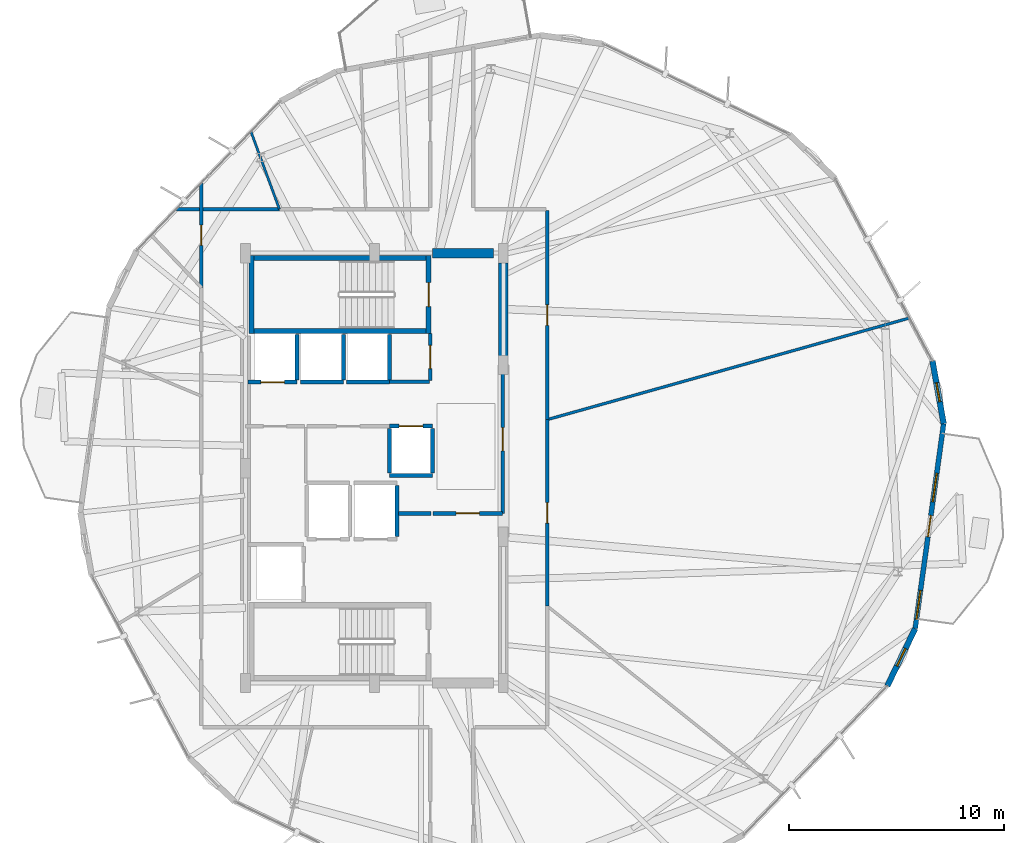
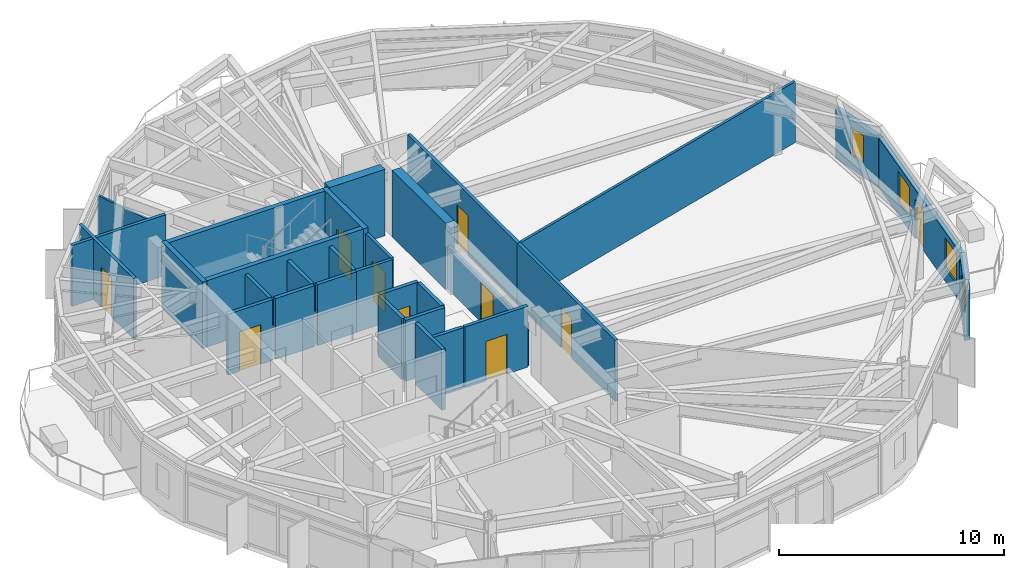
# One storey, part 24 of 28: 31 walls, 10 doors, 4 windows, 14 openings.
"""IFC4 building model written with IfcOpenShell, lengths in metres."""

from ifc_helpers import new_model, si_unit, direction, frame, frame_2d, origin, place, context, subcontext, project, spatial, rectangle, extrude, material, layer, layer_set, type_object, element, fill, save


model = new_model("IFC4")

# Units and contexts
model_context = context("Model", 3, precision=1e-05, world=origin(), true_north=direction((0.0, 1.0)))
body_context = subcontext(model_context, "Body", "Model", "MODEL_VIEW")
ifc_project = project(units=[si_unit("LENGTHUNIT", "METRE"), si_unit("AREAUNIT", "SQUARE_METRE"), si_unit("VOLUMEUNIT", "CUBIC_METRE"), si_unit("PLANEANGLEUNIT", "RADIAN"), si_unit("MASSUNIT", "GRAM", prefix="KILO")], contexts=[model_context])

# Site, building, storey
site_placement = place(None, origin())
site = spatial("IfcSite", under=ifc_project, at=site_placement, CompositionType="ELEMENT")
building_placement = place(site_placement, origin())
building = spatial("IfcBuilding", under=site, at=building_placement, Name="Soratama Intermodal Tower", CompositionType="ELEMENT")
storey_placement = place(building_placement, frame((0.0, 0.0, 205.0)))
storey = spatial("IfcBuildingStorey", under=building, at=storey_placement, Name="L51", CompositionType="ELEMENT", Elevation=205.0)

# Wall, openings, door, windows
ifc_material_1 = material(Name="Concrete f'c 42 MPa", Category="concrete")
ifc_layer_1 = layer(ifc_material_1, 0.22998046875)
ifc_layer_set_1 = layer_set([ifc_layer_1], Name="Concrete f'c 42 MPa")
wall_type_1 = type_object("IfcWallType", Name="EW-BAL-230", PredefinedType="SOLIDWALL", material=ifc_layer_set_1)
wall_1_placement = place(storey_placement, frame((63.759765625, 17.53173828125, 0.0), z_axis=(0.0, 0.0, 1.0), x_axis=(0.137794425401, 0.990460850477, 0.0)))
wall_1 = element("IfcWall", 1, at=wall_1_placement, inside=storey, type_object=wall_type_1, Name="L51 Terrace Wall F09", PredefinedType="SOLIDWALL", context=body_context, shape_type="SweptSolid", body=[
    extrude(rectangle(XDim=9.624267578125, YDim=0.22998046875, at=frame_2d((4.81201171875, 0.0))), origin(), (0.0, 0.0, 1.0), 2.678955078125),
])
opening_1_placement = place(wall_1_placement, frame((4.31201171875, 0.0, 0.0)))
opening_1 = element("IfcOpeningElement", 2, at=opening_1_placement, cuts=wall_1, Name="Opening ED-2", PredefinedType="OPENING", context=body_context, shape_type="SweptSolid", body=[
    extrude(rectangle(XDim=1.0, YDim=2.14990234375, at=frame_2d((0.5, 1.074951171875))), frame((0.0, 0.125, 0.0), z_axis=(0.0, -1.0, 0.0), x_axis=(1.0, 0.0, 0.0)), (0.0, 0.0, 1.0), 0.25),
])
opening_2_placement = place(wall_1_placement, frame((0.43994140625, 0.0, 0.719970703125)))
opening_2 = element("IfcOpeningElement", 3, at=opening_2_placement, cuts=wall_1, Name="Opening WN-4", PredefinedType="OPENING", context=body_context, shape_type="SweptSolid", body=[
    extrude(rectangle(XDim=1.35009765625, YDim=1.64990234375, at=frame_2d((0.675048828125, 0.824951171875))), frame((0.0, 0.125, 0.0), z_axis=(0.0, -1.0, 0.0), x_axis=(1.0, 0.0, 0.0)), (0.0, 0.0, 1.0), 0.25),
])
opening_3_placement = place(wall_1_placement, frame((5.951904296875, 0.0, 0.719970703125)))
opening_3 = element("IfcOpeningElement", 4, at=opening_3_placement, cuts=wall_1, Name="Opening WN-4", PredefinedType="OPENING", context=body_context, shape_type="SweptSolid", body=[
    extrude(rectangle(XDim=1.35009765625, YDim=1.64990234375, at=frame_2d((0.675048828125, 0.824951171875))), frame((0.0, 0.125, 0.0), z_axis=(0.0, -1.0, 0.0), x_axis=(1.0, 0.0, 0.0)), (0.0, 0.0, 1.0), 0.25),
])
ifc_material_2 = material(Name="Double-glazed aluminium door", Category="aluminium")
door_type_1 = type_object("IfcDoorType", Name="DR-BAL-1000", OperationType="NOTDEFINED", PredefinedType="DOOR", material=ifc_material_2)
door_1_placement = place(opening_1_placement, origin())
door_1 = element("IfcDoor", 5, at=door_1_placement, inside=storey, type_object=door_type_1, Name="L51 Balcony Door F09", OperationType="SINGLE_SWING_LEFT", OverallHeight=2.14990234375, OverallWidth=1.0, PredefinedType="DOOR", context=body_context, shape_type="SweptSolid", body=[
    extrude(rectangle(XDim=1.0, YDim=2.14990234375, at=frame_2d((0.5, 1.074951171875))), frame((0.0, 0.02490234375, 0.0), z_axis=(0.0, -1.0, 0.0), x_axis=(1.0, 0.0, 0.0)), (0.0, 0.0, 1.0), 0.050048828125),
])
fill(opening_1, door_1)
ifc_material_3 = material(Name="Double-glazed aluminium window", Category="aluminium")
window_type_1 = type_object("IfcWindowType", Name="WN-FAC-1350", PartitioningType="SINGLE_PANEL", PredefinedType="WINDOW", material=ifc_material_3)
window_1_placement = place(opening_2_placement, origin())
window_1 = element("IfcWindow", 6, at=window_1_placement, inside=storey, type_object=window_type_1, Name="L51 Window A F09", OverallHeight=1.64990234375, OverallWidth=1.35009765625, PartitioningType="SINGLE_PANEL", PredefinedType="WINDOW", context=body_context, shape_type="SweptSolid", body=[
    extrude(rectangle(XDim=1.35009765625, YDim=1.64990234375, at=frame_2d((0.675048828125, 0.824951171875))), frame((0.0, 0.030029296875, 0.0), z_axis=(0.0, -1.0, 0.0), x_axis=(1.0, 0.0, 0.0)), (0.0, 0.0, 1.0), 0.06005859375),
])
fill(opening_2, window_1)
window_2_placement = place(opening_3_placement, origin())
window_2 = element("IfcWindow", 7, at=window_2_placement, inside=storey, type_object=window_type_1, Name="L51 Window B F09", OverallHeight=1.64990234375, OverallWidth=1.35009765625, PartitioningType="SINGLE_PANEL", PredefinedType="WINDOW", context=body_context, shape_type="SweptSolid", body=[
    extrude(rectangle(XDim=1.35009765625, YDim=1.64990234375, at=frame_2d((0.675048828125, 0.824951171875))), frame((0.0, 0.030029296875, 0.0), z_axis=(0.0, -1.0, 0.0), x_axis=(1.0, 0.0, 0.0)), (0.0, 0.0, 1.0), 0.06005859375),
])
fill(opening_3, window_2)

# Wall, opening, window
ifc_material_4 = material(Name="Concrete f'c 42 MPa", Category="concrete")
ifc_layer_2 = layer(ifc_material_4, 0.27001953125)
ifc_layer_set_2 = layer_set([ifc_layer_2], Name="Concrete f'c 42 MPa")
wall_type_2 = type_object("IfcWallType", Name="EW-CRN-270", PredefinedType="SOLIDWALL", material=ifc_layer_set_2)
wall_2_placement = place(storey_placement, frame((62.463134765625, 14.86376953125, 0.0), z_axis=(0.0, 0.0, 1.0), x_axis=(0.437111339514, 0.899407403165, 0.0)))
wall_2 = element("IfcWall", 8, at=wall_2_placement, inside=storey, type_object=wall_type_2, Name="L51 Corner Closure Wall 08", PredefinedType="SOLIDWALL", context=body_context, shape_type="SweptSolid", body=[
    extrude(rectangle(XDim=2.96630859375, YDim=0.27001953125, at=frame_2d((1.483154296875, 0.0))), origin(), (0.0, 0.0, 1.0), 2.678955078125),
])
opening_4_placement = place(wall_2_placement, frame((1.033203125, 0.0, 0.75)))
opening_4 = element("IfcOpeningElement", 9, at=opening_4_placement, cuts=wall_2, Name="Opening WN-6", PredefinedType="OPENING", context=body_context, shape_type="SweptSolid", body=[
    extrude(rectangle(XDim=0.89990234375, YDim=1.5, at=frame_2d((0.449951171875, 0.75))), frame((0.0, 0.14501953125, 0.0), z_axis=(0.0, -1.0, 0.0), x_axis=(1.0, 0.0, 0.0)), (0.0, 0.0, 1.0), 0.2900390625),
])
ifc_material_5 = material(Name="Double-glazed aluminium window", Category="aluminium")
window_type_2 = type_object("IfcWindowType", Name="WN-FAC-900", PartitioningType="SINGLE_PANEL", PredefinedType="WINDOW", material=ifc_material_5)
window_3_placement = place(opening_4_placement, origin())
window_3 = element("IfcWindow", 10, at=window_3_placement, inside=storey, type_object=window_type_2, Name="L51 Corner Window 08", OverallHeight=1.5, OverallWidth=0.89990234375, PartitioningType="SINGLE_PANEL", PredefinedType="WINDOW", context=body_context, shape_type="SweptSolid", body=[
    extrude(rectangle(XDim=0.89990234375, YDim=1.5, at=frame_2d((0.449951171875, 0.75))), frame((0.0, 0.030029296875, 0.0), z_axis=(0.0, -1.0, 0.0), x_axis=(1.0, 0.0, 0.0)), (0.0, 0.0, 1.0), 0.06005859375),
])
fill(opening_4, window_3)

wall_3_placement = place(storey_placement, frame((65.0859375, 27.064208984375, 0.0), z_axis=(0.0, 0.0, 1.0), x_axis=(-0.175052836201, 0.984559040656, 0.0)))
wall_3 = element("IfcWall", 11, at=wall_3_placement, inside=storey, type_object=wall_type_2, Name="L51 Corner Closure Wall 09", PredefinedType="SOLIDWALL", context=body_context, shape_type="SweptSolid", body=[
    extrude(rectangle(XDim=2.966552734375, YDim=0.27001953125, at=frame_2d((1.4833984375, 0.0))), origin(), (0.0, 0.0, 1.0), 2.678955078125),
])
opening_5_placement = place(wall_3_placement, frame((1.033203125, 0.0, 0.75)))
opening_5 = element("IfcOpeningElement", 12, at=opening_5_placement, cuts=wall_3, Name="Opening WN-6", PredefinedType="OPENING", context=body_context, shape_type="SweptSolid", body=[
    extrude(rectangle(XDim=0.89990234375, YDim=1.5, at=frame_2d((0.449951171875, 0.75))), frame((0.0, 0.14501953125, 0.0), z_axis=(0.0, -1.0, 0.0), x_axis=(1.0, 0.0, 0.0)), (0.0, 0.0, 1.0), 0.2900390625),
])
window_4_placement = place(opening_5_placement, origin())
window_4 = element("IfcWindow", 13, at=window_4_placement, inside=storey, type_object=window_type_2, Name="L51 Corner Window 09", OverallHeight=1.5, OverallWidth=0.89990234375, PartitioningType="SINGLE_PANEL", PredefinedType="WINDOW", context=body_context, shape_type="SweptSolid", body=[
    extrude(rectangle(XDim=0.89990234375, YDim=1.5, at=frame_2d((0.449951171875, 0.75))), frame((0.0, 0.030029296875, 0.0), z_axis=(0.0, -1.0, 0.0), x_axis=(1.0, 0.0, 0.0)), (0.0, 0.0, 1.0), 0.06005859375),
])
fill(opening_5, window_4)

# Wall, opening, door
ifc_material_6 = material(Name="Fire-rated gypsum stud partition", Category="concrete")
ifc_layer_3 = layer(ifc_material_6, 0.159912109375)
ifc_layer_set_3 = layer_set([ifc_layer_3], Name="Fire-rated gypsum stud partition")
wall_type_3 = type_object("IfcWallType", Name="IW-PART-R160", PredefinedType="PARTITIONING", material=ifc_layer_set_3)
wall_4_placement = place(storey_placement, frame((46.64990234375, 36.97998046875, 0.0), z_axis=(0.0, 0.0, 1.0), x_axis=(0.0, -1.0, 0.0)))
wall_4 = element("IfcWall", 14, at=wall_4_placement, inside=storey, type_object=wall_type_3, Name="L51 Partition W-L51-TP003", PredefinedType="PARTITIONING", context=body_context, shape_type="SweptSolid", body=[
    extrude(rectangle(XDim=9.721923828125, YDim=0.159912109375, at=frame_2d((4.86083984375, 0.0))), origin(), (0.0, 0.0, 1.0), 3.300048828125),
])
opening_6_placement = place(wall_4_placement, frame((4.385986328125, 0.0, 0.0)))
opening_6 = element("IfcOpeningElement", 15, at=opening_6_placement, cuts=wall_4, Name="Opening ID-3", PredefinedType="OPENING", context=body_context, shape_type="SweptSolid", body=[
    extrude(rectangle(XDim=0.949951171875, YDim=2.14990234375, at=frame_2d((0.47509765625, 1.074951171875))), frame((0.0, 0.08984375, 0.0), z_axis=(0.0, -1.0, 0.0), x_axis=(1.0, 0.0, 0.0)), (0.0, 0.0, 1.0), 0.179931640625),
])
ifc_material_7 = material(Name="Solid hardwood acoustic door", Category="wood")
door_type_2 = type_object("IfcDoorType", Name="DR-ROOM-950", OperationType="NOTDEFINED", PredefinedType="DOOR", material=ifc_material_7)
door_2_placement = place(opening_6_placement, origin())
door_2 = element("IfcDoor", 16, at=door_2_placement, inside=storey, type_object=door_type_2, Name="L51 Door D-L51-TP001", OperationType="SINGLE_SWING_RIGHT", OverallHeight=2.14990234375, OverallWidth=0.949951171875, PredefinedType="DOOR", context=body_context, shape_type="SweptSolid", body=[
    extrude(rectangle(XDim=0.949951171875, YDim=2.14990234375, at=frame_2d((0.47509765625, 1.074951171875))), frame((0.0, 0.02490234375, 0.0), z_axis=(0.0, -1.0, 0.0), x_axis=(1.0, 0.0, 0.0)), (0.0, 0.0, 1.0), 0.050048828125),
])
fill(opening_6, door_2)

wall_5_placement = place(storey_placement, frame((46.64990234375, 27.258056640625, 0.0), z_axis=(0.0, 0.0, 1.0), x_axis=(0.0, -1.0, 0.0)))
wall_5 = element("IfcWall", 17, at=wall_5_placement, inside=storey, type_object=wall_type_3, Name="L51 Partition W-L51-TP004", PredefinedType="PARTITIONING", context=body_context, shape_type="SweptSolid", body=[
    extrude(rectangle(XDim=8.68505859375, YDim=0.159912109375, at=frame_2d((4.342529296875, 0.0))), origin(), (0.0, 0.0, 1.0), 3.300048828125),
])
opening_7_placement = place(wall_5_placement, frame((3.866943359375, 0.0, 0.0)))
opening_7 = element("IfcOpeningElement", 18, at=opening_7_placement, cuts=wall_5, Name="Opening ID-3", PredefinedType="OPENING", context=body_context, shape_type="SweptSolid", body=[
    extrude(rectangle(XDim=0.949951171875, YDim=2.14990234375, at=frame_2d((0.47509765625, 1.074951171875))), frame((0.0, 0.08984375, 0.0), z_axis=(0.0, -1.0, 0.0), x_axis=(1.0, 0.0, 0.0)), (0.0, 0.0, 1.0), 0.179931640625),
])
door_3_placement = place(opening_7_placement, origin())
door_3 = element("IfcDoor", 19, at=door_3_placement, inside=storey, type_object=door_type_2, Name="L51 Door D-L51-TP002", OperationType="SINGLE_SWING_LEFT", OverallHeight=2.14990234375, OverallWidth=0.949951171875, PredefinedType="DOOR", context=body_context, shape_type="SweptSolid", body=[
    extrude(rectangle(XDim=0.949951171875, YDim=2.14990234375, at=frame_2d((0.47509765625, 1.074951171875))), frame((0.0, 0.02490234375, 0.0), z_axis=(0.0, -1.0, 0.0), x_axis=(1.0, 0.0, 0.0)), (0.0, 0.0, 1.0), 0.050048828125),
])
fill(opening_7, door_3)

wall_6_placement = place(storey_placement, frame((44.56005859375, 29.800048828125, 0.0), z_axis=(0.0, 0.0, 1.0), x_axis=(0.0, -1.0, 0.0)))
wall_6 = element("IfcWall", 20, at=wall_6_placement, inside=storey, type_object=wall_type_3, Name="L51 Partition W-L51-TP011", PredefinedType="PARTITIONING", context=body_context, shape_type="SweptSolid", body=[
    extrude(rectangle(XDim=6.91015625, YDim=0.159912109375, at=frame_2d((3.455078125, 0.0))), origin(), (0.0, 0.0, 1.0), 2.340087890625),
])
opening_8_placement = place(wall_6_placement, frame((2.9150390625, 0.0, 0.0)))
opening_8 = element("IfcOpeningElement", 21, at=opening_8_placement, cuts=wall_6, Name="Opening ID-1", PredefinedType="OPENING", context=body_context, shape_type="SweptSolid", body=[
    extrude(rectangle(XDim=1.080078125, YDim=2.14990234375, at=frame_2d((0.5400390625, 1.074951171875))), frame((0.0, 0.08984375, 0.0), z_axis=(0.0, -1.0, 0.0), x_axis=(1.0, 0.0, 0.0)), (0.0, 0.0, 1.0), 0.179931640625),
])
ifc_material_8 = material(Name="Solid hardwood acoustic door", Category="wood")
door_type_3 = type_object("IfcDoorType", Name="DR-LOB-FD60", OperationType="NOTDEFINED", PredefinedType="DOOR", material=ifc_material_8)
door_4_placement = place(opening_8_placement, origin())
door_4 = element("IfcDoor", 22, at=door_4_placement, inside=storey, type_object=door_type_3, Name="L51 Door D-L51-TP008", OperationType="SINGLE_SWING_LEFT", OverallHeight=2.14990234375, OverallWidth=1.080078125, PredefinedType="DOOR", context=body_context, shape_type="SweptSolid", body=[
    extrude(rectangle(XDim=1.080078125, YDim=2.14990234375, at=frame_2d((0.5400390625, 1.074951171875))), frame((0.0, 0.02490234375, 0.0), z_axis=(0.0, -1.0, 0.0), x_axis=(1.0, 0.0, 0.0)), (0.0, 0.0, 1.0), 0.050048828125),
])
fill(opening_8, door_4)

wall_7_placement = place(storey_placement, frame((30.550048828125, 33.40087890625, 0.0), z_axis=(0.0, 0.0, 1.0), x_axis=(0.0, 1.0, 0.0)))
wall_7 = element("IfcWall", 23, at=wall_7_placement, inside=storey, type_object=wall_type_3, Name="L51 Partition W-L51-TP018", PredefinedType="PARTITIONING", context=body_context, shape_type="SweptSolid", body=[
    extrude(rectangle(XDim=4.864013671875, YDim=0.159912109375, at=frame_2d((2.43212890625, 0.0))), origin(), (0.0, 0.0, 1.0), 3.300048828125),
])
opening_9_placement = place(wall_7_placement, frame((1.95703125, 0.0, 0.0)))
opening_9 = element("IfcOpeningElement", 24, at=opening_9_placement, cuts=wall_7, Name="Opening ID-3", PredefinedType="OPENING", context=body_context, shape_type="SweptSolid", body=[
    extrude(rectangle(XDim=0.949951171875, YDim=2.14990234375, at=frame_2d((0.47509765625, 1.074951171875))), frame((0.0, 0.08984375, 0.0), z_axis=(0.0, -1.0, 0.0), x_axis=(1.0, 0.0, 0.0)), (0.0, 0.0, 1.0), 0.179931640625),
])
door_5_placement = place(opening_9_placement, origin())
door_5 = element("IfcDoor", 25, at=door_5_placement, inside=storey, type_object=door_type_2, Name="L51 Door D-L51-TP010", OperationType="SINGLE_SWING_LEFT", OverallHeight=2.14990234375, OverallWidth=0.949951171875, PredefinedType="DOOR", context=body_context, shape_type="SweptSolid", body=[
    extrude(rectangle(XDim=0.949951171875, YDim=2.14990234375, at=frame_2d((0.47509765625, 1.074951171875))), frame((0.0, 0.02490234375, 0.0), z_axis=(0.0, -1.0, 0.0), x_axis=(1.0, 0.0, 0.0)), (0.0, 0.0, 1.0), 0.050048828125),
])
fill(opening_9, door_5)

# Wall
wall_8_placement = place(storey_placement, frame((29.3798828125, 37.050048828125, 0.0), z_axis=(0.0, 0.0, 1.0), x_axis=(1.0, 0.0, 0.0)))
element("IfcWall", 26, at=wall_8_placement, inside=storey, type_object=wall_type_3, Name="L51 Partition W-L51-TP020", PredefinedType="PARTITIONING", context=body_context, shape_type="SweptSolid", body=[
    extrude(rectangle(XDim=4.798095703125, YDim=0.159912109375, at=frame_2d((2.39892578125, 0.0))), origin(), (0.0, 0.0, 1.0), 3.300048828125),
])

# Wall, opening, door
wall_9_placement = place(storey_placement, frame((41.199951171875, 29.070068359375, 0.0), z_axis=(0.0, 0.0, 1.0), x_axis=(0.0, 1.0, 0.0)))
wall_9 = element("IfcWall", 27, at=wall_9_placement, inside=storey, type_object=wall_type_3, Name="L51 Partition W-L51-TP032", PredefinedType="PARTITIONING", context=body_context, shape_type="SweptSolid", body=[
    extrude(rectangle(XDim=2.18994140625, YDim=0.159912109375, at=frame_2d((1.094970703125, 0.0))), origin(), (0.0, 0.0, 1.0), 3.300048828125),
])
opening_10_placement = place(wall_9_placement, frame((0.554931640625, 0.0, 0.0)))
opening_10 = element("IfcOpeningElement", 28, at=opening_10_placement, cuts=wall_9, Name="Opening ID-1", PredefinedType="OPENING", context=body_context, shape_type="SweptSolid", body=[
    extrude(rectangle(XDim=1.080078125, YDim=2.14990234375, at=frame_2d((0.5400390625, 1.074951171875))), frame((0.0, 0.08984375, 0.0), z_axis=(0.0, -1.0, 0.0), x_axis=(1.0, 0.0, 0.0)), (0.0, 0.0, 1.0), 0.179931640625),
])
door_6_placement = place(opening_10_placement, origin())
door_6 = element("IfcDoor", 29, at=door_6_placement, inside=storey, type_object=door_type_3, Name="L51 Door D-L51-TP015", OperationType="SINGLE_SWING_RIGHT", OverallHeight=2.14990234375, OverallWidth=1.080078125, PredefinedType="DOOR", context=body_context, shape_type="SweptSolid", body=[
    extrude(rectangle(XDim=1.080078125, YDim=2.14990234375, at=frame_2d((0.5400390625, 1.074951171875))), frame((0.0, 0.02490234375, 0.0), z_axis=(0.0, -1.0, 0.0), x_axis=(1.0, 0.0, 0.0)), (0.0, 0.0, 1.0), 0.050048828125),
])
fill(opening_10, door_6)

# Wall
wall_10_placement = place(storey_placement, frame((39.300048828125, 29.010009765625, 0.0), z_axis=(0.0, 0.0, 1.0), x_axis=(1.0, 0.0, 0.0)))
element("IfcWall", 30, at=wall_10_placement, inside=storey, type_object=wall_type_3, Name="L51 Partition W-L51-TP033", PredefinedType="PARTITIONING", context=body_context, shape_type="SweptSolid", body=[
    extrude(rectangle(XDim=1.85986328125, YDim=0.159912109375, at=frame_2d((0.929931640625, 0.0))), origin(), (0.0, 0.0, 1.0), 3.300048828125),
])

# Wall, opening, door
ifc_material_9 = material(Name="Fire-rated gypsum stud partition", Category="concrete")
ifc_layer_4 = layer(ifc_material_9, 0.169921875)
ifc_layer_set_4 = layer_set([ifc_layer_4], Name="Fire-rated gypsum stud partition")
wall_type_4 = type_object("IfcWallType", Name="IW-PART-R170", PredefinedType="PARTITIONING", material=ifc_layer_set_4)
wall_11_placement = place(storey_placement, frame((41.320068359375, 22.889892578125, 0.0), z_axis=(0.0, 0.0, 1.0), x_axis=(1.0, 0.0, 0.0)))
wall_11 = element("IfcWall", 31, at=wall_11_placement, inside=storey, type_object=wall_type_4, Name="L51 Partition W-L51-TP028", PredefinedType="PARTITIONING", context=body_context, shape_type="SweptSolid", body=[
    extrude(rectangle(XDim=3.239990234375, YDim=0.169921875, at=frame_2d((1.6201171875, 0.0))), origin(), (0.0, 0.0, 1.0), 3.300048828125),
])
opening_11_placement = place(wall_11_placement, frame((1.080078125, 0.0, 0.0)))
opening_11 = element("IfcOpeningElement", 32, at=opening_11_placement, cuts=wall_11, Name="Opening ID-0", PredefinedType="OPENING", context=body_context, shape_type="SweptSolid", body=[
    extrude(rectangle(XDim=1.080078125, YDim=2.14990234375, at=frame_2d((0.5400390625, 1.074951171875))), frame((0.0, 0.094970703125, 0.0), z_axis=(0.0, -1.0, 0.0), x_axis=(1.0, 0.0, 0.0)), (0.0, 0.0, 1.0), 0.18994140625),
])
ifc_material_10 = material(Name="Solid hardwood acoustic door", Category="wood")
door_type_4 = type_object("IfcDoorType", Name="DR-LOB-FD90", OperationType="NOTDEFINED", PredefinedType="DOOR", material=ifc_material_10)
door_7_placement = place(opening_11_placement, origin())
door_7 = element("IfcDoor", 33, at=door_7_placement, inside=storey, type_object=door_type_4, Name="L51 Door D-L51-TP013", OperationType="SINGLE_SWING_RIGHT", OverallHeight=2.14990234375, OverallWidth=1.080078125, PredefinedType="DOOR", context=body_context, shape_type="SweptSolid", body=[
    extrude(rectangle(XDim=1.080078125, YDim=2.14990234375, at=frame_2d((0.5400390625, 1.074951171875))), frame((0.0, 0.02490234375, 0.0), z_axis=(0.0, -1.0, 0.0), x_axis=(1.0, 0.0, 0.0)), (0.0, 0.0, 1.0), 0.050048828125),
])
fill(opening_11, door_7)

# Walls
wall_12_placement = place(storey_placement, frame((39.719970703125, 22.889892578125, 0.0), z_axis=(0.0, 0.0, 1.0), x_axis=(1.0, 0.0, 0.0)))
element("IfcWall", 34, at=wall_12_placement, inside=storey, type_object=wall_type_4, Name="L51 Partition W-L51-TP034", PredefinedType="PARTITIONING", context=body_context, shape_type="SweptSolid", body=[
    extrude(rectangle(XDim=1.52001953125, YDim=0.169921875, at=frame_2d((0.760009765625, 0.0))), origin(), (0.0, 0.0, 1.0), 3.300048828125),
])
ifc_material_11 = material(Name="Fire-rated gypsum stud partition", Category="concrete")
ifc_layer_5 = layer(ifc_material_11, 0.110107421875)
ifc_layer_set_5 = layer_set([ifc_layer_5], Name="Fire-rated gypsum stud partition")
wall_type_5 = type_object("IfcWallType", Name="IW-PART-S110", PredefinedType="PARTITIONING", material=ifc_layer_set_5)
wall_13_placement = place(storey_placement, frame((34.177978515625, 37.050048828125, 0.0), z_axis=(0.0, 0.0, 1.0), x_axis=(-0.344807180399, 0.938673536617, 0.0)))
element("IfcWall", 35, at=wall_13_placement, inside=storey, type_object=wall_type_5, Name="L51 Partition W-L51-TP023", PredefinedType="PARTITIONING", context=body_context, shape_type="SweptSolid", body=[
    extrude(rectangle(XDim=3.842529296875, YDim=0.110107421875, at=frame_2d((1.92138671875, 0.0))), origin(), (0.0, 0.0, 1.0), 2.594970703125),
])
ifc_material_12 = material(Name="Fire-rated gypsum stud partition", Category="concrete")
ifc_layer_6 = layer(ifc_material_12, 0.1298828125)
ifc_layer_set_6 = layer_set([ifc_layer_6], Name="Fire-rated gypsum stud partition")
wall_type_6 = type_object("IfcWallType", Name="IW-PART-S130", PredefinedType="PARTITIONING", material=ifc_layer_set_6)
wall_14_placement = place(storey_placement, frame((63.5, 31.98388671875, 0.0), z_axis=(0.0, 0.0, 1.0), x_axis=(-0.962848165135, -0.270043350032, 0.0)))
element("IfcWall", 36, at=wall_14_placement, inside=storey, type_object=wall_type_6, Name="L51 Partition W-L51-TP001", PredefinedType="PARTITIONING", context=body_context, shape_type="SweptSolid", body=[
    extrude(rectangle(XDim=17.500244140625, YDim=0.1298828125, at=frame_2d((8.75, 0.0))), origin(), (0.0, 0.0, 1.0), 3.300048828125),
])
ifc_material_13 = material(Name="Concrete f'c 42 MPa", Category="concrete")
ifc_layer_7 = layer(ifc_material_13, 0.18505859375)
ifc_layer_set_7 = layer_set([ifc_layer_7], Name="Concrete f'c 42 MPa")
wall_type_7 = type_object("IfcWallType", Name="IW-SHAFT-185", PredefinedType="SOLIDWALL", material=ifc_layer_set_7)
wall_15_placement = place(storey_placement, frame((39.64990234375, 21.81005859375, 0.0), z_axis=(0.0, 0.0, 1.0), x_axis=(0.0, 1.0, 0.0)))
element("IfcWall", 37, at=wall_15_placement, inside=storey, type_object=wall_type_7, Name="L51 FFL-2 Hoistway Wall E", PredefinedType="SOLIDWALL", context=body_context, shape_type="SweptSolid", body=[
    extrude(rectangle(XDim=2.3798828125, YDim=0.18505859375, at=frame_2d((1.18994140625, 0.0))), origin(), (0.0, 0.0, 1.0), 3.300048828125),
])
wall_16_placement = place(storey_placement, frame((39.300048828125, 24.64990234375, 0.0), z_axis=(0.0, 0.0, 1.0), x_axis=(1.0, 0.0, 0.0)))
element("IfcWall", 38, at=wall_16_placement, inside=storey, type_object=wall_type_7, Name="L51 PL-M1 Hoistway Wall S", PredefinedType="SOLIDWALL", context=body_context, shape_type="SweptSolid", body=[
    extrude(rectangle(XDim=2.0, YDim=0.18505859375, at=frame_2d((1.0, 0.0))), origin(), (0.0, 0.0, 1.0), 3.300048828125),
])

# Wall, opening, door
wall_17_placement = place(storey_placement, frame((39.300048828125, 26.949951171875, 0.0), z_axis=(0.0, 0.0, 1.0), x_axis=(1.0, 0.0, 0.0)))
wall_17 = element("IfcWall", 39, at=wall_17_placement, inside=storey, type_object=wall_type_7, Name="L51 PL-M1 Hoistway Wall N", PredefinedType="SOLIDWALL", context=body_context, shape_type="SweptSolid", body=[
    extrude(rectangle(XDim=2.0, YDim=0.18505859375, at=frame_2d((1.0, 0.0))), origin(), (0.0, 0.0, 1.0), 3.300048828125),
])
opening_12_placement = place(wall_17_placement, frame((0.449951171875, 0.0, 0.0)))
opening_12 = element("IfcOpeningElement", 40, at=opening_12_placement, cuts=wall_17, Name="Opening LD-1", PredefinedType="OPENING", context=body_context, shape_type="SweptSolid", body=[
    extrude(rectangle(XDim=1.10009765625, YDim=2.14990234375, at=frame_2d((0.550048828125, 1.074951171875))), frame((0.0, 0.1025390625, 0.0), z_axis=(0.0, -1.0, 0.0), x_axis=(1.0, 0.0, 0.0)), (0.0, 0.0, 1.0), 0.205078125),
])
ifc_material_14 = material(Name="Steel fire door", Category="steel")
door_type_5 = type_object("IfcDoorType", Name="DR-LIFT-SLIDE", OperationType="NOTDEFINED", PredefinedType="DOOR", material=ifc_material_14)
door_8_placement = place(opening_12_placement, origin())
door_8 = element("IfcDoor", 41, at=door_8_placement, inside=storey, type_object=door_type_5, Name="L51 PL-M1 Sliding Landing Door", OperationType="SLIDING_TO_LEFT", OverallHeight=2.14990234375, OverallWidth=1.10009765625, PredefinedType="DOOR", context=body_context, shape_type="SweptSolid", body=[
    extrude(rectangle(XDim=1.10009765625, YDim=2.14990234375, at=frame_2d((0.550048828125, 1.074951171875))), frame((0.0, 0.02490234375, 0.0), z_axis=(0.0, -1.0, 0.0), x_axis=(1.0, 0.0, 0.0)), (0.0, 0.0, 1.0), 0.050048828125),
])
fill(opening_12, door_8)

# Walls
for number, where, z_axis, x_axis, name in (
    (42, (39.300048828125, 24.760009765625, 0.0), (0.0, 0.0, 1.0), (0.0, 1.0, 0.0), "L51 PL-M1 Hoistway Wall W"),
    (43, (41.300048828125, 24.760009765625, 0.0), (0.0, 0.0, 1.0), (0.0, 1.0, 0.0), "L51 PL-M1 Hoistway Wall E"),
):
    element("IfcWall", number, at=place(storey_placement, frame(where, z_axis=z_axis, x_axis=x_axis)), inside=storey, type_object=wall_type_7, Name=name, PredefinedType="SOLIDWALL", context=body_context, shape_type="SweptSolid", body=[
        extrude(rectangle(XDim=2.080078125, YDim=0.18505859375, at=frame_2d((1.0400390625, 0.0))), origin(), (0.0, 0.0, 1.0), 3.300048828125),
    ])

# Wall, opening, door
wall_18_placement = place(storey_placement, frame((32.719970703125, 29.0, 0.0), z_axis=(0.0, 0.0, 1.0), x_axis=(1.0, 0.0, 0.0)))
wall_18 = element("IfcWall", 44, at=wall_18_placement, inside=storey, type_object=wall_type_7, Name="L51 PL-M2 Hoistway Wall S", PredefinedType="SOLIDWALL", context=body_context, shape_type="SweptSolid", body=[
    extrude(rectangle(XDim=2.280029296875, YDim=0.18505859375, at=frame_2d((1.14013671875, 0.0))), origin(), (0.0, 0.0, 1.0), 3.300048828125),
])
opening_13_placement = place(wall_18_placement, frame((0.590087890625, 0.0, 0.0)))
opening_13 = element("IfcOpeningElement", 45, at=opening_13_placement, cuts=wall_18, Name="Opening LD-1", PredefinedType="OPENING", context=body_context, shape_type="SweptSolid", body=[
    extrude(rectangle(XDim=1.10009765625, YDim=2.14990234375, at=frame_2d((0.550048828125, 1.074951171875))), frame((0.0, 0.1025390625, 0.0), z_axis=(0.0, -1.0, 0.0), x_axis=(1.0, 0.0, 0.0)), (0.0, 0.0, 1.0), 0.205078125),
])
door_9_placement = place(opening_13_placement, origin())
door_9 = element("IfcDoor", 46, at=door_9_placement, inside=storey, type_object=door_type_5, Name="L51 PL-M2 Sliding Landing Door", OperationType="SLIDING_TO_LEFT", OverallHeight=2.14990234375, OverallWidth=1.10009765625, PredefinedType="DOOR", context=body_context, shape_type="SweptSolid", body=[
    extrude(rectangle(XDim=1.10009765625, YDim=2.14990234375, at=frame_2d((0.550048828125, 1.074951171875))), frame((0.0, 0.02490234375, 0.0), z_axis=(0.0, -1.0, 0.0), x_axis=(1.0, 0.0, 0.0)), (0.0, 0.0, 1.0), 0.050048828125),
])
fill(opening_13, door_9)

# Walls
wall_19_placement = place(storey_placement, frame((35.0, 29.110107421875, 0.0), z_axis=(0.0, 0.0, 1.0), x_axis=(0.0, 1.0, 0.0)))
element("IfcWall", 47, at=wall_19_placement, inside=storey, type_object=wall_type_7, Name="L51 PL-M2 Hoistway Wall E", PredefinedType="SOLIDWALL", context=body_context, shape_type="SweptSolid", body=[
    extrude(rectangle(XDim=2.099853515625, YDim=0.18505859375, at=frame_2d((1.0498046875, 0.0))), origin(), (0.0, 0.0, 1.0), 3.300048828125),
])
wall_20_placement = place(storey_placement, frame((35.14990234375, 29.0, 0.0), z_axis=(0.0, 0.0, 1.0), x_axis=(1.0, 0.0, 0.0)))
element("IfcWall", 48, at=wall_20_placement, inside=storey, type_object=wall_type_7, Name="L51 PL-H1 Hoistway Wall S", PredefinedType="SOLIDWALL", context=body_context, shape_type="SweptSolid", body=[
    extrude(rectangle(XDim=2.0, YDim=0.18505859375, at=frame_2d((1.0, 0.0))), origin(), (0.0, 0.0, 1.0), 3.300048828125),
])
wall_21_placement = place(storey_placement, frame((37.14990234375, 29.110107421875, 0.0), z_axis=(0.0, 0.0, 1.0), x_axis=(0.0, 1.0, 0.0)))
element("IfcWall", 49, at=wall_21_placement, inside=storey, type_object=wall_type_7, Name="L51 PL-H1 Hoistway Wall E", PredefinedType="SOLIDWALL", context=body_context, shape_type="SweptSolid", body=[
    extrude(rectangle(XDim=2.099853515625, YDim=0.18505859375, at=frame_2d((1.0498046875, 0.0))), origin(), (0.0, 0.0, 1.0), 3.300048828125),
])
wall_22_placement = place(storey_placement, frame((37.300048828125, 29.0, 0.0), z_axis=(0.0, 0.0, 1.0), x_axis=(1.0, 0.0, 0.0)))
element("IfcWall", 50, at=wall_22_placement, inside=storey, type_object=wall_type_7, Name="L51 PL-H2 Hoistway Wall S", PredefinedType="SOLIDWALL", context=body_context, shape_type="SweptSolid", body=[
    extrude(rectangle(XDim=2.0, YDim=0.18505859375, at=frame_2d((1.0, 0.0))), origin(), (0.0, 0.0, 1.0), 3.300048828125),
])
wall_23_placement = place(storey_placement, frame((39.300048828125, 29.110107421875, 0.0), z_axis=(0.0, 0.0, 1.0), x_axis=(0.0, 1.0, 0.0)))
element("IfcWall", 51, at=wall_23_placement, inside=storey, type_object=wall_type_7, Name="L51 PL-H2 Hoistway Wall E", PredefinedType="SOLIDWALL", context=body_context, shape_type="SweptSolid", body=[
    extrude(rectangle(XDim=2.099853515625, YDim=0.18505859375, at=frame_2d((1.0498046875, 0.0))), origin(), (0.0, 0.0, 1.0), 3.300048828125),
])
ifc_material_15 = material(Name="Concrete f'c 56 MPa", Category="concrete")
ifc_layer_8 = layer(ifc_material_15, 0.449951171875)
ifc_layer_set_8 = layer_set([ifc_layer_8], Name="Concrete f'c 56 MPa")
wall_type_8 = type_object("IfcWallType", Name="SW-CORE-450", PredefinedType="SHEAR", material=ifc_layer_set_8)
wall_24_placement = place(storey_placement, frame((41.300048828125, 35.0, 0.0), z_axis=(0.0, 0.0, 1.0), x_axis=(1.0, 0.0, 0.0)))
element("IfcWall", 52, at=wall_24_placement, inside=storey, type_object=wall_type_8, Name="L51 Core Shear Wall CW-NE", PredefinedType="SHEAR", context=body_context, shape_type="SweptSolid", body=[
    extrude(rectangle(XDim=2.849853515625, YDim=0.449951171875, at=frame_2d((1.4248046875, 0.0))), origin(), (0.0, 0.0, 1.0), 3.60009765625),
])
wall_25_placement = place(storey_placement, frame((44.60009765625, 29.800048828125, 0.0), z_axis=(0.0, 0.0, 1.0), x_axis=(0.0, 1.0, 0.0)))
element("IfcWall", 53, at=wall_25_placement, inside=storey, type_object=wall_type_8, Name="L51 Core Shear Wall CW-EN", PredefinedType="SHEAR", context=body_context, shape_type="SweptSolid", body=[
    extrude(rectangle(XDim=4.75, YDim=0.449951171875, at=frame_2d((2.375, 0.0))), origin(), (0.0, 0.0, 1.0), 3.60009765625),
])
ifc_material_16 = material(Name="Concrete f'c 56 MPa", Category="concrete")
ifc_layer_9 = layer(ifc_material_16, 0.239990234375)
ifc_layer_set_9 = layer_set([ifc_layer_9], Name="Concrete f'c 56 MPa")
wall_type_9 = type_object("IfcWallType", Name="SW-STAIR-240", PredefinedType="SHEAR", material=ifc_layer_set_9)
wall_26_placement = place(storey_placement, frame((32.8798828125, 31.260009765625, 0.0), z_axis=(0.0, 0.0, 1.0), x_axis=(0.0, 1.0, 0.0)))
element("IfcWall", 54, at=wall_26_placement, inside=storey, type_object=wall_type_9, Name="L51 ST-2 Shaft Shear Wall W", PredefinedType="SHEAR", context=body_context, shape_type="SweptSolid", body=[
    extrude(rectangle(XDim=3.6298828125, YDim=0.239990234375, at=frame_2d((1.81494140625, 0.0))), origin(), (0.0, 0.0, 1.0), 3.60009765625),
])

# Wall, opening, door
wall_27_placement = place(storey_placement, frame((41.1201171875, 31.260009765625, 0.0), z_axis=(0.0, 0.0, 1.0), x_axis=(0.0, 1.0, 0.0)))
wall_27 = element("IfcWall", 55, at=wall_27_placement, inside=storey, type_object=wall_type_9, Name="L51 ST-2 Shaft Shear Wall E", PredefinedType="SHEAR", context=body_context, shape_type="SweptSolid", body=[
    extrude(rectangle(XDim=3.6298828125, YDim=0.239990234375, at=frame_2d((1.81494140625, 0.0))), origin(), (0.0, 0.0, 1.0), 3.60009765625),
])
opening_14_placement = place(wall_27_placement, frame((1.2548828125, 0.0, 0.0)))
opening_14 = element("IfcOpeningElement", 56, at=opening_14_placement, cuts=wall_27, Name="Opening SD-1", PredefinedType="OPENING", context=body_context, shape_type="SweptSolid", body=[
    extrude(rectangle(XDim=1.1201171875, YDim=2.14990234375, at=frame_2d((0.56005859375, 1.074951171875))), frame((0.0, 0.1298828125, 0.0), z_axis=(0.0, -1.0, 0.0), x_axis=(1.0, 0.0, 0.0)), (0.0, 0.0, 1.0), 0.260009765625),
])
ifc_material_17 = material(Name="Steel fire door", Category="steel")
door_type_6 = type_object("IfcDoorType", Name="DR-STAIR-FD90", OperationType="NOTDEFINED", PredefinedType="DOOR", material=ifc_material_17)
door_10_placement = place(opening_14_placement, origin())
door_10 = element("IfcDoor", 57, at=door_10_placement, inside=storey, type_object=door_type_6, Name="L51 ST-2 Exit Stair Door", OperationType="SINGLE_SWING_RIGHT", OverallHeight=2.14990234375, OverallWidth=1.1201171875, PredefinedType="DOOR", context=body_context, shape_type="SweptSolid", body=[
    extrude(rectangle(XDim=1.1201171875, YDim=2.14990234375, at=frame_2d((0.56005859375, 1.074951171875))), frame((0.0, 0.02490234375, 0.0), z_axis=(0.0, -1.0, 0.0), x_axis=(1.0, 0.0, 0.0)), (0.0, 0.0, 1.0), 0.050048828125),
])
fill(opening_14, door_10)

# Walls
for number, where, z_axis, x_axis, name in (
    (58, (33.0, 31.3798828125, 0.0), (0.0, 0.0, 1.0), (1.0, 0.0, 0.0), "L51 ST-2 Shaft Shear Wall S"),
    (59, (33.0, 34.77001953125, 0.0), (0.0, 0.0, 1.0), (1.0, 0.0, 0.0), "L51 ST-2 Shaft Shear Wall N"),
):
    element("IfcWall", number, at=place(storey_placement, frame(where, z_axis=z_axis, x_axis=x_axis)), inside=storey, type_object=wall_type_9, Name=name, PredefinedType="SHEAR", context=body_context, shape_type="SweptSolid", body=[
        extrude(rectangle(XDim=8.0, YDim=0.239990234375, at=frame_2d((4.0, 0.0))), origin(), (0.0, 0.0, 1.0), 3.60009765625),
    ])

save(model, "model.ifc")
